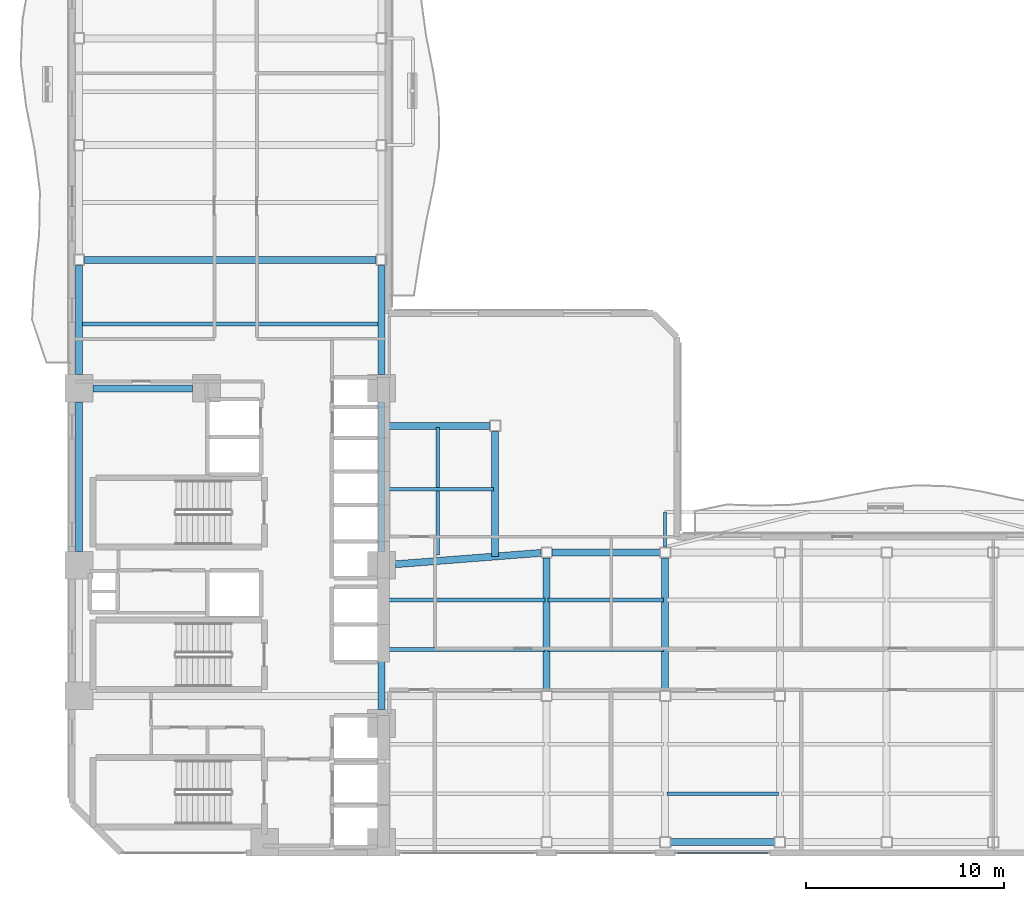
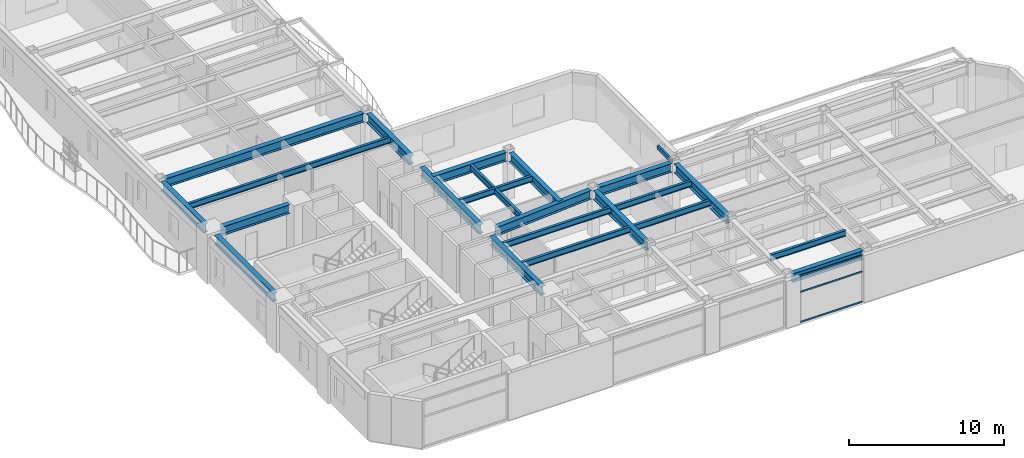
# One storey, part 6 of 16: 23 beams, 3 members, 1 element without a shape of its own.
"""IFC4 building model written with IfcOpenShell, lengths in metres."""

from ifc_helpers import new_model, si_unit, direction, frame, origin, origin_2d, place, context, subcontext, project, spatial, hollow_rectangle, i_section, extrude, material, layer, layer_set, material_profile, profile_set, type_object, element, aggregate, save


model = new_model("IFC4")

# Units and contexts
model_context = context("Model", 3, precision=1e-05, world=origin(), true_north=direction((0.0, 1.0)))
body_context = subcontext(model_context, "Body", "Model", "MODEL_VIEW")
ifc_project = project(units=[si_unit("LENGTHUNIT", "METRE"), si_unit("AREAUNIT", "SQUARE_METRE"), si_unit("VOLUMEUNIT", "CUBIC_METRE"), si_unit("PLANEANGLEUNIT", "RADIAN"), si_unit("MASSUNIT", "GRAM", prefix="KILO")], contexts=[model_context])

# Site, building, storey
site_placement = place(None, origin())
site = spatial("IfcSite", under=ifc_project, at=site_placement, CompositionType="ELEMENT")
building_placement = place(site_placement, origin())
building = spatial("IfcBuilding", under=site, at=building_placement, Name="Mawjaban Terraces University", CompositionType="ELEMENT")
storey_placement = place(building_placement, frame((0.0, 0.0, 54.39990234375)))
storey = spatial("IfcBuildingStorey", under=building, at=storey_placement, Name="L12", CompositionType="ELEMENT", Elevation=54.39990234375)

# Beams
ifc_material_1 = material(Name="Steel EN 10210-1 S355J2H", Category="steel")
ifc_material_profile_1 = material_profile(ifc_material_1, hollow_rectangle(XDim=0.14990234375, YDim=0.300048828125, WallThickness=0.012451171875, at=origin_2d()), Name="RHS300X150X12.5")
ifc_profile_set_1 = profile_set([ifc_material_profile_1], Name="Steel EN 10210-1 S355J2H")
beam_type_1 = type_object("IfcBeamType", Name="BalconyCantileverSpandrel_RHS", PredefinedType="SPANDREL", material=ifc_profile_set_1)
beam_1_placement = place(storey_placement, frame((52.0, 15.47509765625, 3.5400390625), z_axis=(0.0, 1.0, 0.0), x_axis=(-1.0, 0.0, 0.0)))
element("IfcBeam", 1, at=beam_1_placement, inside=storey, type_object=beam_type_1, Name="L12 Exterior Outrigger BAL-L13-N.1", PredefinedType="SPANDREL", context=body_context, shape_type="SweptSolid", body=[
    extrude(hollow_rectangle(XDim=0.14990234375, YDim=0.300048828125, WallThickness=0.012451171875, at=origin_2d()), origin(), (0.0, 0.0, 1.0), 1.77490234375),
])
ifc_material_2 = material(Name="Steel ASTM A572 Grade 50", Category="steel")
ifc_material_profile_2 = material_profile(ifc_material_2, i_section(OverallWidth=0.35498046875, OverallDepth=0.695068359375, WebThickness=0.015380859375, FlangeThickness=0.02490234375, at=origin_2d()), Name="W690X217")
ifc_profile_set_2 = profile_set([ifc_material_profile_2], Name="Steel ASTM A572 Grade 50")
beam_type_2 = type_object("IfcBeamType", Name="Beam_B_W690X217", PredefinedType="BEAM", material=ifc_profile_set_2)
beam_2_placement = place(storey_placement, frame((52.27490234375, 0.550048828125, 3.343017578125), z_axis=(1.0, 0.0, 0.0), x_axis=(0.0, 1.0, 0.0)))
element("IfcBeam", 2, at=beam_2_placement, inside=storey, type_object=beam_type_2, Name="L12 Beam BM-L12-EW-03", PredefinedType="BEAM", context=body_context, shape_type="SweptSolid", body=[
    extrude(i_section(OverallWidth=0.35498046875, OverallDepth=0.695068359375, WebThickness=0.015380859375, FlangeThickness=0.02490234375, at=origin_2d()), origin(), (0.0, 0.0, 1.0), 5.25),
])
beam_3_placement = place(storey_placement, frame((46.27490234375, 15.199951171875, 3.343017578125), z_axis=(1.0, 0.0, 0.0), x_axis=(0.0, 1.0, 0.0)))
element("IfcBeam", 3, at=beam_3_placement, inside=storey, type_object=beam_type_2, Name="L12 Beam BM-L12-EW-09", PredefinedType="BEAM", context=body_context, shape_type="SweptSolid", body=[
    extrude(i_section(OverallWidth=0.35498046875, OverallDepth=0.695068359375, WebThickness=0.015380859375, FlangeThickness=0.02490234375, at=origin_2d()), origin(), (0.0, 0.0, 1.0), 5.4501953125),
])
beam_4_placement = place(storey_placement, frame((23.050048828125, 23.5, 3.343017578125), z_axis=(1.0, 0.0, 0.0), x_axis=(0.0, 1.0, 0.0)))
element("IfcBeam", 4, at=beam_4_placement, inside=storey, type_object=beam_type_2, Name="L12 Beam BM-L12-EW-14", PredefinedType="BEAM", context=body_context, shape_type="SweptSolid", body=[
    extrude(i_section(OverallWidth=0.35498046875, OverallDepth=0.695068359375, WebThickness=0.015380859375, FlangeThickness=0.02490234375, at=origin_2d()), origin(), (0.0, 0.0, 1.0), 5.050048828125),
])
beam_5_placement = place(storey_placement, frame((22.625, 30.0, 3.343017578125), z_axis=(1.0, 0.0, 0.0), x_axis=(0.0, 1.0, 0.0)))
element("IfcBeam", 5, at=beam_5_placement, inside=storey, type_object=beam_type_2, Name="L12 Beam BM-L12-EW-15", PredefinedType="BEAM", context=body_context, shape_type="SweptSolid", body=[
    extrude(i_section(OverallWidth=0.35498046875, OverallDepth=0.695068359375, WebThickness=0.015380859375, FlangeThickness=0.02490234375, at=origin_2d()), origin(), (0.0, 0.0, 1.0), 14.75),
])
beam_6_placement = place(storey_placement, frame((22.35009765625, 15.25, 3.343017578125), z_axis=(0.0, 1.0, 0.0), x_axis=(-1.0, 0.0, 0.0)))
element("IfcBeam", 6, at=beam_6_placement, inside=storey, type_object=beam_type_2, Name="L12 Beam BM-L12-NS-02", PredefinedType="BEAM", context=body_context, shape_type="SweptSolid", body=[
    extrude(i_section(OverallWidth=0.35498046875, OverallDepth=0.695068359375, WebThickness=0.015380859375, FlangeThickness=0.02490234375, at=origin_2d()), origin(), (0.0, 0.0, 1.0), 7.550048828125),
])
beam_7_placement = place(storey_placement, frame((22.35009765625, 24.199951171875, 3.343017578125), z_axis=(0.0, 1.0, 0.0), x_axis=(-1.0, 0.0, 0.0)))
element("IfcBeam", 7, at=beam_7_placement, inside=storey, type_object=beam_type_2, Name="L12 Beam BM-L12-NS-03", PredefinedType="BEAM", context=body_context, shape_type="SweptSolid", body=[
    extrude(i_section(OverallWidth=0.35498046875, OverallDepth=0.695068359375, WebThickness=0.015380859375, FlangeThickness=0.02490234375, at=origin_2d()), origin(), (0.0, 0.0, 1.0), 5.525146484375),
])
beam_8_placement = place(storey_placement, frame((37.64990234375, 7.25, 3.343017578125), z_axis=(0.0, 1.0, 0.0), x_axis=(-1.0, 0.0, 0.0)))
element("IfcBeam", 8, at=beam_8_placement, inside=storey, type_object=beam_type_2, Name="L12 Beam BM-L12-NS-08", PredefinedType="BEAM", context=body_context, shape_type="SweptSolid", body=[
    extrude(i_section(OverallWidth=0.35498046875, OverallDepth=0.695068359375, WebThickness=0.015380859375, FlangeThickness=0.02490234375, at=origin_2d()), origin(), (0.0, 0.0, 1.0), 6.60009765625),
])
beam_9_placement = place(storey_placement, frame((37.64990234375, 15.25, 3.343017578125), z_axis=(0.0, 1.0, 0.0), x_axis=(-1.0, 0.0, 0.0)))
element("IfcBeam", 9, at=beam_9_placement, inside=storey, type_object=beam_type_2, Name="L12 Beam BM-L12-NS-09", PredefinedType="BEAM", context=body_context, shape_type="SweptSolid", body=[
    extrude(i_section(OverallWidth=0.35498046875, OverallDepth=0.695068359375, WebThickness=0.015380859375, FlangeThickness=0.02490234375, at=origin_2d()), origin(), (0.0, 0.0, 1.0), 7.550048828125),
])
beam_10_placement = place(storey_placement, frame((37.64990234375, 24.199951171875, 3.343017578125), z_axis=(0.0, 1.0, 0.0), x_axis=(-1.0, 0.0, 0.0)))
element("IfcBeam", 10, at=beam_10_placement, inside=storey, type_object=beam_type_2, Name="L12 Beam BM-L12-NS-10", PredefinedType="BEAM", context=body_context, shape_type="SweptSolid", body=[
    extrude(i_section(OverallWidth=0.35498046875, OverallDepth=0.695068359375, WebThickness=0.015380859375, FlangeThickness=0.02490234375, at=origin_2d()), origin(), (0.0, 0.0, 1.0), 5.525146484375),
])
for number, where, z_axis, x_axis, name in (
    (11, (46.0, 8.22509765625, 3.343017578125), (0.0, 1.0, 0.0), (-1.0, 0.0, 0.0), "L12 Beam BM-L12-NS-15"),
    (12, (52.0, 8.22509765625, 3.343017578125), (0.0, 1.0, 0.0), (-1.0, 0.0, 0.0), "L12 Beam BM-L12-NS-17"),
):
    element("IfcBeam", number, at=place(storey_placement, frame(where, z_axis=z_axis, x_axis=x_axis)), inside=storey, type_object=beam_type_2, Name=name, PredefinedType="BEAM", context=body_context, shape_type="SweptSolid", body=[
        extrude(i_section(OverallWidth=0.35498046875, OverallDepth=0.695068359375, WebThickness=0.015380859375, FlangeThickness=0.02490234375, at=origin_2d()), origin(), (0.0, 0.0, 1.0), 6.699951171875),
    ])
beam_11_placement = place(storey_placement, frame((38.347900390625, 14.60400390625, 3.343017578125), z_axis=(0.996977531908, 0.077690416851, 0.0), x_axis=(-0.077690416851, 0.996977531908, 0.0)))
element("IfcBeam", 13, at=beam_11_placement, inside=storey, type_object=beam_type_2, Name="L12 Beam BM-L12-CTIE", PredefinedType="BEAM", context=body_context, shape_type="SweptSolid", body=[
    extrude(i_section(OverallWidth=0.35498046875, OverallDepth=0.695068359375, WebThickness=0.015380859375, FlangeThickness=0.02490234375, at=origin_2d()), origin(), (0.0, 0.0, 1.0), 7.400634765625),
])
beam_12_placement = place(storey_placement, frame((37.679931640625, 21.60009765625, 3.343017578125), z_axis=(1.0, 0.0, 0.0), x_axis=(0.0, 1.0, 0.0)))
element("IfcBeam", 14, at=beam_12_placement, inside=storey, type_object=beam_type_2, Name="L12 Spur Tie Girder West", PredefinedType="BEAM", context=body_context, shape_type="SweptSolid", body=[
    extrude(i_section(OverallWidth=0.35498046875, OverallDepth=0.695068359375, WebThickness=0.015380859375, FlangeThickness=0.02490234375, at=origin_2d()), origin(), (0.0, 0.0, 1.0), 5.445068359375),
])
beam_13_placement = place(storey_placement, frame((43.39990234375, 15.0, 3.343017578125), z_axis=(0.0, 1.0, 0.0), x_axis=(-1.0, 0.0, 0.0)))
element("IfcBeam", 15, at=beam_13_placement, inside=storey, type_object=beam_type_2, Name="L12 Spur Tie Girder South", PredefinedType="BEAM", context=body_context, shape_type="SweptSolid", body=[
    extrude(i_section(OverallWidth=0.35498046875, OverallDepth=0.695068359375, WebThickness=0.015380859375, FlangeThickness=0.02490234375, at=origin_2d()), origin(), (0.0, 0.0, 1.0), 6.324951171875),
])
ifc_material_profile_3 = material_profile(ifc_material_2, i_section(OverallWidth=0.19189453125, OverallDepth=0.462890625, WebThickness=0.010498046875, FlangeThickness=0.017578125, at=origin_2d()), Name="W460X89")
ifc_profile_set_3 = profile_set([ifc_material_profile_3], Name="Steel ASTM A572 Grade 50")
beam_type_3 = type_object("IfcBeamType", Name="Beam_J_W460X89", PredefinedType="JOIST", material=ifc_profile_set_3)
beam_14_placement = place(storey_placement, frame((52.080078125, 3.0, 3.458984375), z_axis=(1.0, 0.0, 0.0), x_axis=(0.0, 1.0, 0.0)))
element("IfcBeam", 16, at=beam_14_placement, inside=storey, type_object=beam_type_3, Name="L12 Composite Joist JST-L12-03", PredefinedType="JOIST", context=body_context, shape_type="SweptSolid", body=[
    extrude(i_section(OverallWidth=0.19189453125, OverallDepth=0.462890625, WebThickness=0.010498046875, FlangeThickness=0.017578125, at=origin_2d()), origin(), (0.0, 0.0, 1.0), 5.639892578125),
])
beam_15_placement = place(storey_placement, frame((37.72998046875, 10.300048828125, 3.458984375), z_axis=(1.0, 0.0, 0.0), x_axis=(0.0, 1.0, 0.0)))
element("IfcBeam", 17, at=beam_15_placement, inside=storey, type_object=beam_type_3, Name="L12 Composite Joist JST-L12-11", PredefinedType="JOIST", context=body_context, shape_type="SweptSolid", body=[
    extrude(i_section(OverallWidth=0.19189453125, OverallDepth=0.462890625, WebThickness=0.010498046875, FlangeThickness=0.017578125, at=origin_2d()), origin(), (0.0, 0.0, 1.0), 8.18994140625),
])
beam_16_placement = place(storey_placement, frame((46.080078125, 10.300048828125, 3.458984375), z_axis=(1.0, 0.0, 0.0), x_axis=(0.0, 1.0, 0.0)))
element("IfcBeam", 18, at=beam_16_placement, inside=storey, type_object=beam_type_3, Name="L12 Composite Joist JST-L12-12", PredefinedType="JOIST", context=body_context, shape_type="SweptSolid", body=[
    extrude(i_section(OverallWidth=0.19189453125, OverallDepth=0.462890625, WebThickness=0.010498046875, FlangeThickness=0.017578125, at=origin_2d()), origin(), (0.0, 0.0, 1.0), 5.83984375),
])
beam_17_placement = place(storey_placement, frame((37.72998046875, 12.800048828125, 3.458984375), z_axis=(1.0, 0.0, 0.0), x_axis=(0.0, 1.0, 0.0)))
element("IfcBeam", 19, at=beam_17_placement, inside=storey, type_object=beam_type_3, Name="L12 Composite Joist JST-L12-16", PredefinedType="JOIST", context=body_context, shape_type="SweptSolid", body=[
    extrude(i_section(OverallWidth=0.19189453125, OverallDepth=0.462890625, WebThickness=0.010498046875, FlangeThickness=0.017578125, at=origin_2d()), origin(), (0.0, 0.0, 1.0), 8.18994140625),
])
beam_18_placement = place(storey_placement, frame((46.080078125, 12.800048828125, 3.458984375), z_axis=(1.0, 0.0, 0.0), x_axis=(0.0, 1.0, 0.0)))
element("IfcBeam", 20, at=beam_18_placement, inside=storey, type_object=beam_type_3, Name="L12 Composite Joist JST-L12-17", PredefinedType="JOIST", context=body_context, shape_type="SweptSolid", body=[
    extrude(i_section(OverallWidth=0.19189453125, OverallDepth=0.462890625, WebThickness=0.010498046875, FlangeThickness=0.017578125, at=origin_2d()), origin(), (0.0, 0.0, 1.0), 5.83984375),
])
beam_19_placement = place(storey_placement, frame((37.72998046875, 18.39990234375, 3.458984375), z_axis=(1.0, 0.0, 0.0), x_axis=(0.0, 1.0, 0.0)))
element("IfcBeam", 21, at=beam_19_placement, inside=storey, type_object=beam_type_3, Name="L12 Composite Joist JST-L12-21", PredefinedType="JOIST", context=body_context, shape_type="SweptSolid", body=[
    extrude(i_section(OverallWidth=0.19189453125, OverallDepth=0.462890625, WebThickness=0.010498046875, FlangeThickness=0.017578125, at=origin_2d()), origin(), (0.0, 0.0, 1.0), 5.590087890625),
])
beam_20_placement = place(storey_placement, frame((22.429931640625, 26.75, 3.458984375), z_axis=(1.0, 0.0, 0.0), x_axis=(0.0, 1.0, 0.0)))
element("IfcBeam", 22, at=beam_20_placement, inside=storey, type_object=beam_type_3, Name="L12 Composite Joist JST-L12-22", PredefinedType="JOIST", context=body_context, shape_type="SweptSolid", body=[
    extrude(i_section(OverallWidth=0.19189453125, OverallDepth=0.462890625, WebThickness=0.010498046875, FlangeThickness=0.017578125, at=origin_2d()), origin(), (0.0, 0.0, 1.0), 15.14013671875),
])
beam_21_placement = place(storey_placement, frame((40.5, 15.080078125, 3.458984375), z_axis=(0.0, 1.0, 0.0), x_axis=(-1.0, 0.0, 0.0)))
element("IfcBeam", 23, at=beam_21_placement, inside=storey, type_object=beam_type_3, Name="L12 Composite Joist JST-L12-NS-26", PredefinedType="JOIST", context=body_context, shape_type="SweptSolid", body=[
    extrude(i_section(OverallWidth=0.19189453125, OverallDepth=0.462890625, WebThickness=0.010498046875, FlangeThickness=0.017578125, at=origin_2d()), origin(), (0.0, 0.0, 1.0), 6.43994140625),
])

# Curtain wall, members
ifc_material_3 = material(Name="Anodised aluminium 6063-T6 and solar-control low-E glass", Category="aluminium")
ifc_layer = layer(ifc_material_3, 0.1650390625)
ifc_layer_set = layer_set([ifc_layer], Name="Anodised aluminium 6063-T6 and solar-control low-E glass")
curtain_wall_type = type_object("IfcCurtainWallType", Name="CWSystem_04_EastWing", PredefinedType="NOTDEFINED", material=ifc_layer_set)
curtain_wall_placement = place(storey_placement, origin())
curtain_wall = element("IfcCurtainWall", 24, at=curtain_wall_placement, inside=storey, type_object=curtain_wall_type, Name="L12 Curtain Wall CW-04 Run 1.4", PredefinedType="NOTDEFINED")
ifc_material_4 = material(Name="Anodised aluminium 6063-T6", Category="aluminium")
ifc_material_profile_4 = material_profile(ifc_material_4, hollow_rectangle(XDim=0.06005859375, YDim=0.1201171875, WallThickness=0.00341796875, at=origin_2d()), Name="ALU120X60X3.5")
ifc_profile_set_4 = profile_set([ifc_material_profile_4], Name="Anodised aluminium 6063-T6")
member_type = type_object("IfcMemberType", Name="Transom_CW-04", PredefinedType="NOTDEFINED", material=ifc_profile_set_4)
member_1_placement = place(storey_placement, frame((52.590087890625, 0.0, 0.030029296875), z_axis=(1.0, 0.0, 0.0), x_axis=(0.0, 1.0, 0.0)))
member_1 = element("IfcMember", 25, at=member_1_placement, type_object=member_type, Name="CW-04 transom 1.1", ObjectType="TRANSOM", PredefinedType="USERDEFINED", context=body_context, shape_type="SweptSolid", body=[
    extrude(hollow_rectangle(XDim=0.06005859375, YDim=0.1201171875, WallThickness=0.00341796875, at=origin_2d()), origin(), (0.0, 0.0, 1.0), 4.619873046875),
])
member_2_placement = place(storey_placement, frame((52.590087890625, 0.0, 2.399169921875), z_axis=(1.0, 0.0, 0.0), x_axis=(0.0, 1.0, 0.0)))
member_2 = element("IfcMember", 26, at=member_2_placement, type_object=member_type, Name="CW-04 transom 1.2", ObjectType="TRANSOM", PredefinedType="USERDEFINED", context=body_context, shape_type="SweptSolid", body=[
    extrude(hollow_rectangle(XDim=0.06005859375, YDim=0.1201171875, WallThickness=0.00341796875, at=origin_2d()), origin(), (0.0, 0.0, 1.0), 4.619873046875),
])
member_3_placement = place(storey_placement, frame((52.590087890625, 0.0, 3.66015625), z_axis=(1.0, 0.0, 0.0), x_axis=(0.0, 1.0, 0.0)))
member_3 = element("IfcMember", 27, at=member_3_placement, type_object=member_type, Name="CW-04 transom 1.3", ObjectType="TRANSOM", PredefinedType="USERDEFINED", context=body_context, shape_type="SweptSolid", body=[
    extrude(hollow_rectangle(XDim=0.06005859375, YDim=0.1201171875, WallThickness=0.00341796875, at=origin_2d()), origin(), (0.0, 0.0, 1.0), 4.619873046875),
])
aggregate(curtain_wall, [member_1, member_2, member_3])

save(model, "model.ifc")
